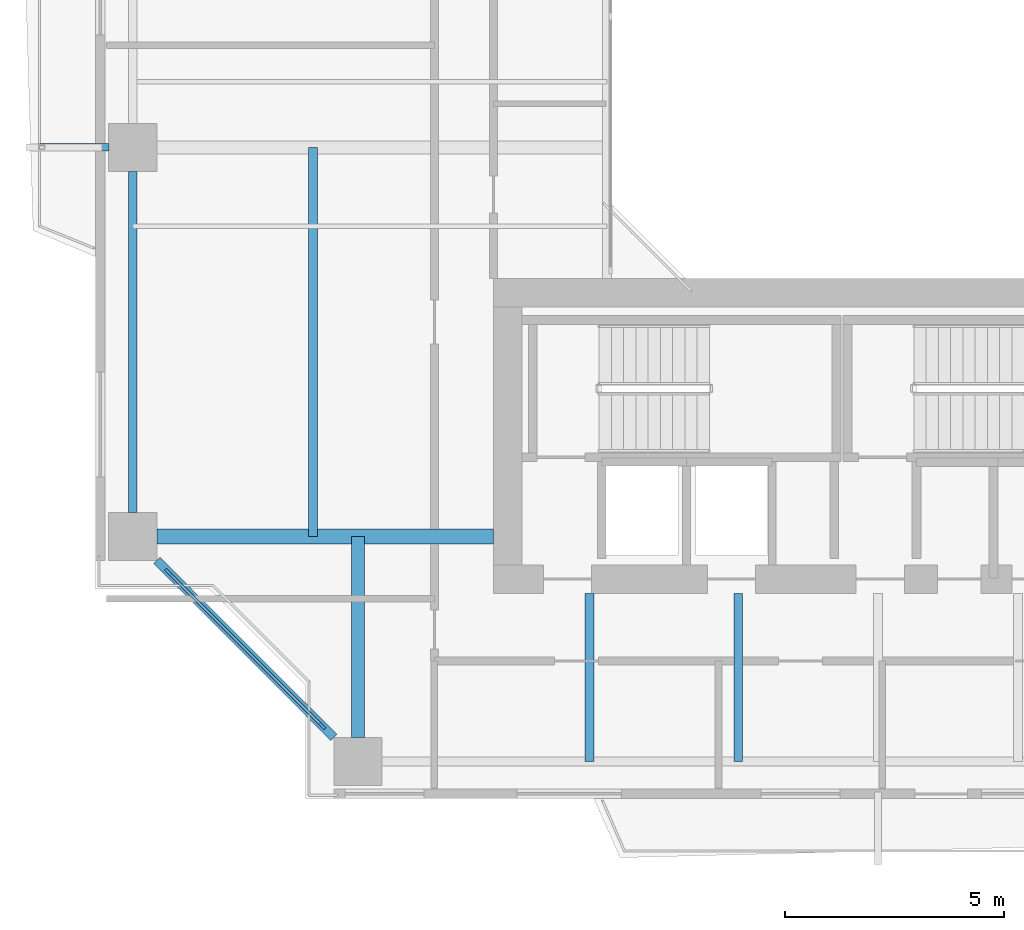
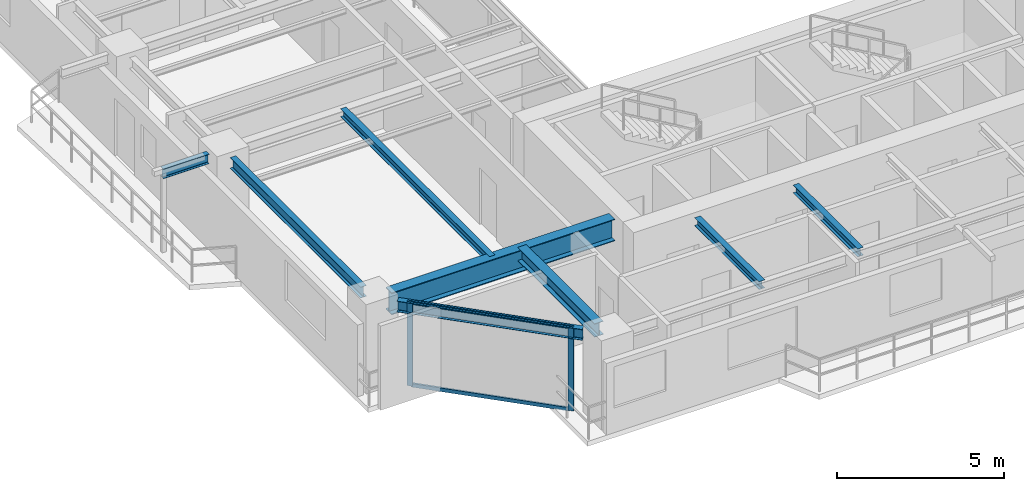
# One storey, part 5 of 28: 8 beams, 4 members, 1 element without a shape of its own.
"""IFC4 building model written with IfcOpenShell, lengths in metres."""

from ifc_helpers import new_model, si_unit, direction, frame, origin, origin_2d, place, context, subcontext, project, spatial, rectangle, i_section, extrude, source, transform, mapped, material, layer, layer_set, material_profile, profile_set, type_object, element, aggregate, save


model = new_model("IFC4")

# Units and contexts
model_context = context("Model", 3, precision=1e-05, world=origin(), true_north=direction((0.0, 1.0)))
body_context = subcontext(model_context, "Body", "Model", "MODEL_VIEW")
ifc_project = project(units=[si_unit("LENGTHUNIT", "METRE"), si_unit("AREAUNIT", "SQUARE_METRE"), si_unit("VOLUMEUNIT", "CUBIC_METRE"), si_unit("PLANEANGLEUNIT", "RADIAN"), si_unit("MASSUNIT", "GRAM", prefix="KILO"), si_unit("THERMODYNAMICTEMPERATUREUNIT", "KELVIN"), si_unit("POWERUNIT", "WATT")], contexts=[model_context])

# Site, building, storey
site_placement = place(None, origin())
site = spatial("IfcSite", under=ifc_project, at=site_placement, CompositionType="ELEMENT")
building_placement = place(site_placement, origin())
building = spatial("IfcBuilding", under=site, at=building_placement, Name="Qiaomeng Ring Towers", CompositionType="ELEMENT")
storey_placement = place(building_placement, frame((0.0, 0.0, 113.25)))
storey = spatial("IfcBuildingStorey", under=building, at=storey_placement, Name="L32", CompositionType="ELEMENT", Elevation=113.25)

# Beams
ifc_material_1 = material(Name="Steel Q355B", Category="steel")
ifc_material_profile_1 = material_profile(ifc_material_1, i_section(OverallWidth=0.199951171875, OverallDepth=0.39990234375, WebThickness=0.008056640625, FlangeThickness=0.012939453125, FilletRadius=0.01611328125, at=origin_2d()), Name="HN 400x200x8x13")
ifc_profile_set_1 = profile_set([ifc_material_profile_1], Name="Steel Q355B")
beam_type_1 = type_object("IfcBeamType", Name="STR-BM-HN400", PredefinedType="SPANDREL", material=ifc_profile_set_1)
shared_shape_1 = source(origin(), body_context, "Body", "SweptSolid", [
    extrude(i_section(OverallWidth=0.199951171875, OverallDepth=0.39990234375, WebThickness=0.008056640625, FlangeThickness=0.012939453125, FilletRadius=0.01611328125, at=origin_2d()), origin(), (0.0, 0.0, 1.0), 5.729736328125),
])
beam_1_placement = place(storey_placement, frame((2.499267578125, 10.55078125, 2.8701171875), z_axis=(0.707106781187, -0.707106781187, 0.0), x_axis=(0.707106781187, 0.707106781187, 0.0)))
element("IfcBeam", 1, at=beam_1_placement, inside=storey, type_object=beam_type_1, Name="L32 beam STR-SP-L32-T1-W1-S1", PredefinedType="SPANDREL", context=body_context, shape_type="MappedRepresentation", body=[
    mapped(shared_shape_1, transform((0.0, 0.0, 0.0), x_axis=(1.0, 0.0, 0.0), y_axis=(0.0, 1.0, 0.0), z_axis=(0.0, 0.0, 1.0), scale=1.0)),
])
shared_shape_2 = source(origin(), body_context, "Body", "SweptSolid", [
    extrude(i_section(OverallWidth=0.199951171875, OverallDepth=0.39990234375, WebThickness=0.008056640625, FlangeThickness=0.012939453125, FilletRadius=0.01611328125, at=origin_2d()), origin(), (0.0, 0.0, 1.0), 7.802001953125),
])
beam_2_placement = place(storey_placement, frame((1.949951171875, 19.450927734375, 2.8701171875), z_axis=(0.0, -1.0, 0.0), x_axis=(1.0, 0.0, 0.0)))
element("IfcBeam", 2, at=beam_2_placement, inside=storey, type_object=beam_type_1, Name="L32 beam STR-SP-L32-T1-W2-W1", PredefinedType="SPANDREL", context=body_context, shape_type="MappedRepresentation", body=[
    mapped(shared_shape_2, transform((0.0, 0.0, 0.0), x_axis=(1.0, 0.0, 0.0), y_axis=(0.0, 1.0, 0.0), z_axis=(0.0, 0.0, 1.0), scale=1.0)),
])
ifc_material_2 = material(Name="Steel Q390GJC", Category="steel")
ifc_material_profile_2 = material_profile(ifc_material_2, i_section(OverallWidth=0.35009765625, OverallDepth=0.800048828125, WebThickness=0.01611328125, FlangeThickness=0.028076171875, at=origin_2d()), Name="WH 800x350x16x28")
ifc_profile_set_2 = profile_set([ifc_material_profile_2], Name="Steel Q390GJC")
beam_type_2 = type_object("IfcBeamType", Name="STR-BM-WH800", PredefinedType="BEAM", material=ifc_profile_set_2)
shared_shape_3 = source(origin(), body_context, "Body", "SweptSolid", [
    extrude(i_section(OverallWidth=0.35009765625, OverallDepth=0.800048828125, WebThickness=0.01611328125, FlangeThickness=0.028076171875, at=origin_2d()), origin(), (0.0, 0.0, 1.0), 7.700927734375),
])
beam_3_placement = place(storey_placement, frame((2.4990234375, 11.10009765625, 2.669921875), z_axis=(1.0, 0.0, 0.0), x_axis=(0.0, 1.0, 0.0)))
element("IfcBeam", 3, at=beam_3_placement, inside=storey, type_object=beam_type_2, Name="L32 beam STR-BM-L32-T1-RAD-W1", PredefinedType="BEAM", context=body_context, shape_type="MappedRepresentation", body=[
    mapped(shared_shape_3, transform((0.0, 0.0, 0.0), x_axis=(1.0, 0.0, 0.0), y_axis=(0.0, 1.0, 0.0), z_axis=(0.0, 0.0, 1.0), scale=1.0)),
])
ifc_material_profile_3 = material_profile(ifc_material_1, i_section(OverallWidth=0.300048828125, OverallDepth=0.488037109375, WebThickness=0.010986328125, FlangeThickness=0.01806640625, FilletRadius=0.02587890625, at=origin_2d()), Name="HM 488x300x11x18")
ifc_profile_set_3 = profile_set([ifc_material_profile_3], Name="Steel Q355B")
beam_type_3 = type_object("IfcBeamType", Name="STR-BM-HM488", PredefinedType="BEAM", material=ifc_profile_set_3)
shared_shape_4 = source(origin(), body_context, "Body", "SweptSolid", [
    extrude(i_section(OverallWidth=0.300048828125, OverallDepth=0.488037109375, WebThickness=0.010986328125, FlangeThickness=0.01806640625, FilletRadius=0.02587890625, at=origin_2d()), origin(), (0.0, 0.0, 1.0), 4.60107421875),
])
beam_4_placement = place(storey_placement, frame((7.10009765625, 6.4990234375, 2.825927734375), z_axis=(0.0, 1.0, 0.0), x_axis=(-1.0, 0.0, 0.0)))
element("IfcBeam", 4, at=beam_4_placement, inside=storey, type_object=beam_type_3, Name="L32 beam STR-BM-L32-T1-RAD-S1", PredefinedType="BEAM", context=body_context, shape_type="MappedRepresentation", body=[
    mapped(shared_shape_4, transform((0.0, 0.0, 0.0), x_axis=(1.0, 0.0, 0.0), y_axis=(0.0, 1.0, 0.0), z_axis=(0.0, 0.0, 1.0), scale=1.0)),
])
ifc_material_profile_4 = material_profile(ifc_material_1, i_section(OverallWidth=0.175048828125, OverallDepth=0.35009765625, WebThickness=0.007080078125, FlangeThickness=0.010986328125, FilletRadius=0.013916015625, at=origin_2d()), Name="HN 350x175x7x11")
ifc_profile_set_4 = profile_set([ifc_material_profile_4], Name="Steel Q355B")
beam_type_4 = type_object("IfcBeamType", Name="STR-BM-HN350", PredefinedType="JOIST", material=ifc_profile_set_4)
shared_shape_5 = source(origin(), body_context, "Body", "SweptSolid", [
    extrude(i_section(OverallWidth=0.175048828125, OverallDepth=0.35009765625, WebThickness=0.007080078125, FlangeThickness=0.010986328125, FilletRadius=0.013916015625, at=origin_2d()), origin(), (0.0, 0.0, 1.0), 1.580810546875),
])
beam_5_placement = place(storey_placement, frame((-0.179931640625, 20.0, 2.89501953125), z_axis=(1.0, 0.0, 0.0), x_axis=(0.0, 1.0, 0.0)))
element("IfcBeam", 5, at=beam_5_placement, inside=storey, type_object=beam_type_4, Name="L32 beam STR-BALBM-L32-W2", PredefinedType="JOIST", context=body_context, shape_type="MappedRepresentation", body=[
    mapped(shared_shape_5, transform((0.0, 0.0, 0.0), x_axis=(1.0, 0.0, 0.0), y_axis=(0.0, 1.0, 0.0), z_axis=(0.0, 0.0, 1.0), scale=1.0)),
])
ifc_material_profile_5 = material_profile(ifc_material_1, i_section(OverallWidth=0.199951171875, OverallDepth=0.2939453125, WebThickness=0.008056640625, FlangeThickness=0.011962890625, FilletRadius=0.01806640625, at=origin_2d()), Name="HM 294x200x8x12")
ifc_profile_set_5 = profile_set([ifc_material_profile_5], Name="Steel Q355B")
beam_type_5 = type_object("IfcBeamType", Name="STR-BM-HM294", PredefinedType="JOIST", material=ifc_profile_set_5)
shared_shape_6 = source(origin(), body_context, "Body", "SweptSolid", [
    extrude(i_section(OverallWidth=0.199951171875, OverallDepth=0.2939453125, WebThickness=0.008056640625, FlangeThickness=0.011962890625, FilletRadius=0.01806640625, at=origin_2d()), origin(), (0.0, 0.0, 1.0), 3.85009765625),
])
for number, where, z_axis, x_axis, name in (
    (6, (12.39990234375, 5.949951171875, 2.923095703125), (0.0, 1.0, 0.0), (-1.0, 0.0, 0.0), "L32 beam STR-JST-L32-T1S-1"),
    (7, (15.800048828125, 5.949951171875, 2.923095703125), (0.0, 1.0, 0.0), (-1.0, 0.0, 0.0), "L32 beam STR-JST-L32-T1S-2"),
):
    element("IfcBeam", number, at=place(storey_placement, frame(where, z_axis=z_axis, x_axis=x_axis)), inside=storey, type_object=beam_type_5, Name=name, PredefinedType="JOIST", context=body_context, shape_type="MappedRepresentation", body=[
        mapped(shared_shape_6, transform((0.0, 0.0, 0.0), x_axis=(1.0, 0.0, 0.0), y_axis=(0.0, 1.0, 0.0), z_axis=(0.0, 0.0, 1.0), scale=1.0)),
    ])
shared_shape_7 = source(origin(), body_context, "Body", "SweptSolid", [
    extrude(i_section(OverallWidth=0.199951171875, OverallDepth=0.2939453125, WebThickness=0.008056640625, FlangeThickness=0.011962890625, FilletRadius=0.01806640625, at=origin_2d()), origin(), (0.0, 0.0, 1.0), 8.89990234375),
])
beam_6_placement = place(storey_placement, frame((6.074951171875, 11.10009765625, 2.923095703125), z_axis=(0.0, 1.0, 0.0), x_axis=(-1.0, 0.0, 0.0)))
element("IfcBeam", 8, at=beam_6_placement, inside=storey, type_object=beam_type_5, Name="L32 beam STR-JST-L32-T1C-WS", PredefinedType="JOIST", context=body_context, shape_type="MappedRepresentation", body=[
    mapped(shared_shape_7, transform((0.0, 0.0, 0.0), x_axis=(1.0, 0.0, 0.0), y_axis=(0.0, 1.0, 0.0), z_axis=(0.0, 0.0, 1.0), scale=1.0)),
])

# Curtain wall, members
ifc_material_3 = material(Name="Fluorocarbon dark-grey aluminium", Category="aluminium")
ifc_layer = layer(ifc_material_3, 0.14990234375, Name="Fluorocarbon dark-grey aluminium")
ifc_layer_set = layer_set([ifc_layer], Name="Fluorocarbon dark-grey aluminium")
curtain_wall_type = type_object("IfcCurtainWallType", Name="ARC-CW-3", PredefinedType="NOTDEFINED", material=ifc_layer_set)
curtain_wall_placement = place(storey_placement, origin())
curtain_wall = element("IfcCurtainWall", 9, at=curtain_wall_placement, inside=storey, type_object=curtain_wall_type, Name="L32 Curtain Wall CW3", PredefinedType="NOTDEFINED")
ifc_material_profile_6 = material_profile(ifc_material_3, rectangle(XDim=0.070068359375, YDim=0.179931640625, at=origin_2d()), Name="ALU MULL 70x180")
ifc_profile_set_6 = profile_set([ifc_material_profile_6], Name="Fluorocarbon dark-grey aluminium")
member_type_1 = type_object("IfcMemberType", Name="ARC-CWM-160", PredefinedType="MULLION", material=ifc_profile_set_6)
shared_shape_8 = source(origin(), body_context, "Body", "SweptSolid", [
    extrude(rectangle(XDim=0.070068359375, YDim=0.179931640625, at=origin_2d()), origin(), (0.0, 0.0, 1.0), 3.070068359375),
])
member_1_placement = place(storey_placement, frame((2.7646484375, 10.28515625, 0.0), z_axis=(0.0, 0.0, 1.0), x_axis=(0.707106781187, 0.707106781187, 0.0)))
member_1 = element("IfcMember", 10, at=member_1_placement, type_object=member_type_1, Name="CW3 mullion 1", PredefinedType="MULLION", context=body_context, shape_type="MappedRepresentation", body=[
    mapped(shared_shape_8, transform((0.0, 0.0, 0.0), x_axis=(1.0, 0.0, 0.0), y_axis=(0.0, 1.0, 0.0), z_axis=(0.0, 0.0, 1.0), scale=1.0)),
])
member_2_placement = place(storey_placement, frame((6.28515625, 6.7646484375, 0.0), z_axis=(0.0, 0.0, 1.0), x_axis=(0.707106781187, 0.707106781187, 0.0)))
member_2 = element("IfcMember", 11, at=member_2_placement, type_object=member_type_1, Name="CW3 mullion 2", PredefinedType="MULLION", context=body_context, shape_type="MappedRepresentation", body=[
    mapped(shared_shape_8, transform((0.0, 0.0, 0.0), x_axis=(1.0, 0.0, 0.0), y_axis=(0.0, 1.0, 0.0), z_axis=(0.0, 0.0, 1.0), scale=1.0)),
])
ifc_material_profile_7 = material_profile(ifc_material_3, rectangle(XDim=0.06494140625, YDim=0.1298828125, at=origin_2d()), Name="ALU TRAN 65x130")
ifc_profile_set_7 = profile_set([ifc_material_profile_7], Name="Fluorocarbon dark-grey aluminium")
member_type_2 = type_object("IfcMemberType", Name="ARC-CWT-120", PredefinedType="USERDEFINED", material=ifc_profile_set_7)
shared_shape_9 = source(origin(), body_context, "Body", "SweptSolid", [
    extrude(rectangle(XDim=0.06494140625, YDim=0.1298828125, at=origin_2d()), origin(), (0.0, 0.0, 1.0), 4.90869140625),
])
member_3_placement = place(storey_placement, frame((2.78955078125, 10.260498046875, 0.032470703125), z_axis=(0.707106781187, -0.707106781187, 0.0), x_axis=(0.707106781187, 0.707106781187, 0.0)))
member_3 = element("IfcMember", 12, at=member_3_placement, type_object=member_type_2, Name="CW3 transom 1.1", ObjectType="TRANSOM", PredefinedType="USERDEFINED", context=body_context, shape_type="MappedRepresentation", body=[
    mapped(shared_shape_9, transform((0.0, 0.0, 0.0), x_axis=(1.0, 0.0, 0.0), y_axis=(0.0, 1.0, 0.0), z_axis=(0.0, 0.0, 1.0), scale=1.0)),
])
member_4_placement = place(storey_placement, frame((2.78955078125, 10.260498046875, 3.03759765625), z_axis=(0.707106781187, -0.707106781187, 0.0), x_axis=(0.707106781187, 0.707106781187, 0.0)))
member_4 = element("IfcMember", 13, at=member_4_placement, type_object=member_type_2, Name="CW3 transom 1.2", ObjectType="TRANSOM", PredefinedType="USERDEFINED", context=body_context, shape_type="MappedRepresentation", body=[
    mapped(shared_shape_9, transform((0.0, 0.0, 0.0), x_axis=(1.0, 0.0, 0.0), y_axis=(0.0, 1.0, 0.0), z_axis=(0.0, 0.0, 1.0), scale=1.0)),
])
aggregate(curtain_wall, [member_1, member_2, member_3, member_4])

save(model, "model.ifc")
